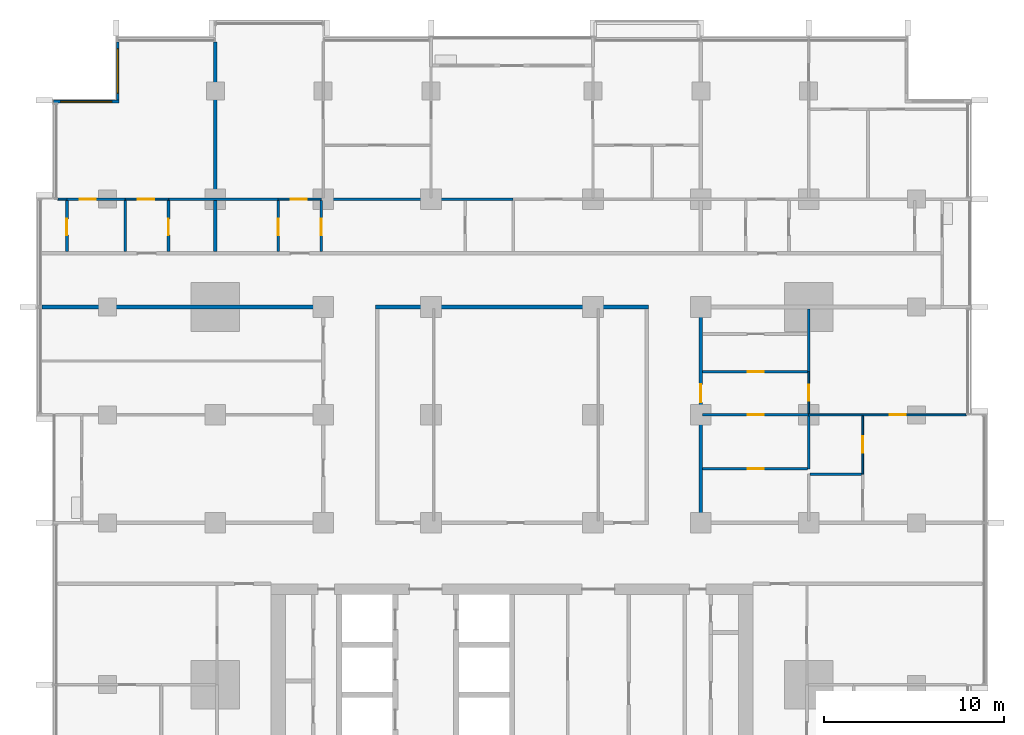
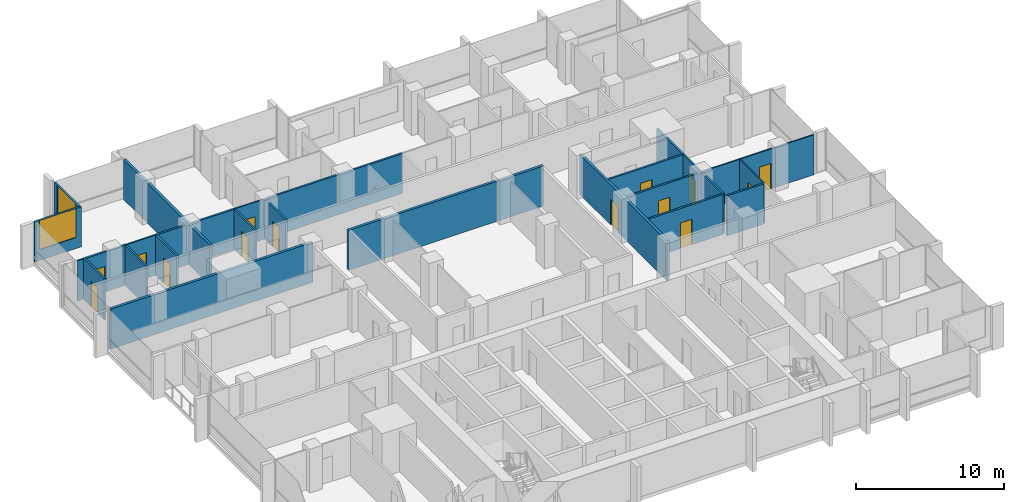
# One storey, part 10 of 17: 27 walls, 14 doors, 2 windows, 16 openings.
"""IFC4 building model written with IfcOpenShell, lengths in metres."""

import ifcopenshell
import ifcopenshell.guid

model = None  # the IFC model being written
_history = None  # IfcOwnerHistory: only IFC2X3 demands one
_inside = {}  # id of a spatial element -> (the spatial element, [elements in it])
_under = {}  # id of a project, library or spatial element -> (it, [spatial elements below it])
_declared = {}  # id of a project -> (the project, [libraries it declares])
_typed = {}  # id of a type object -> (the type object, [elements of that type])
_made_of = {}  # id of a material, layer set ... -> (it, [elements and type objects made of it])


def new_model(schema):
    """Start an empty IFC model of exactly this schema.

    Asked for "IFC4X3", IfcOpenShell would pick the latest addendum, in which some entities
    have other attributes; the version numbers below select the first issue.
    IFC2X3 requires an IfcOwnerHistory on every rooted entity: one is made here for all.
    """
    global model, _history
    if schema == "IFC4X3":
        model = ifcopenshell.file(schema_version=(4, 3, 0, 0))
    else:
        model = ifcopenshell.file(schema=schema)
    _inside.clear()
    _under.clear()
    _declared.clear()
    _typed.clear()
    _made_of.clear()
    _history = None
    if model.schema == "IFC2X3":
        org = make("IfcOrganization", Name="unknown")
        user = make(
            "IfcPersonAndOrganization",
            ThePerson=make("IfcPerson", FamilyName="unknown"),
            TheOrganization=org,
        )
        app = make(
            "IfcApplication",
            ApplicationDeveloper=org,
            Version="unknown",
            ApplicationFullName="unknown",
            ApplicationIdentifier="unknown",
        )
        _history = make(
            "IfcOwnerHistory",
            OwningUser=user,
            OwningApplication=app,
            ChangeAction="ADDED",
            CreationDate=0,
        )
    return model


def make(cls, **values):
    """One entity of the class cls with the attributes given. An attribute that is None is left unset."""
    return model.create_entity(
        cls, **{name: value for name, value in values.items() if value is not None}
    )


def rooted(cls, **values):
    """An entity with a GlobalId (a new one), such as an element, a storey or a relation."""
    return make(cls, GlobalId=ifcopenshell.guid.new(), OwnerHistory=_history, **values)


def si_unit(unit_type, name, prefix=None):
    """IfcSIUnit, for example si_unit("LENGTHUNIT", "METRE", prefix="MILLI")."""
    return make("IfcSIUnit", UnitType=unit_type, Prefix=prefix, Name=name)


def assignment(units):
    """IfcUnitAssignment: the units of a project."""
    return None if units is None else make("IfcUnitAssignment", Units=units)


def point(xyz):
    """IfcCartesianPoint."""
    return None if xyz is None else make("IfcCartesianPoint", Coordinates=xyz)


def direction(xyz):
    """IfcDirection."""
    return None if xyz is None else make("IfcDirection", DirectionRatios=xyz)


def frame(location, z_axis=None, x_axis=None):
    """IfcAxis2Placement3D, a coordinate frame: its origin and axes. An axis left out is left unset."""
    return make(
        "IfcAxis2Placement3D",
        Location=point(location),
        Axis=direction(z_axis),
        RefDirection=direction(x_axis),
    )


def frame_2d(location, x_axis=None):
    """IfcAxis2Placement2D, a coordinate frame in the plane: its origin and x axis."""
    return make(
        "IfcAxis2Placement2D", Location=point(location), RefDirection=direction(x_axis)
    )


def origin():
    """The frame at (0, 0, 0) with its axes left unset."""
    return frame((0.0, 0.0, 0.0))


def place(relative_to, where):
    """IfcLocalPlacement: puts the frame where relative to a parent placement (None: the world)."""
    return make(
        "IfcLocalPlacement", PlacementRelTo=relative_to, RelativePlacement=where
    )


def context(
    kind, dimensions, precision=None, world=None, true_north=None, identifier=None
):
    """IfcGeometricRepresentationContext, for example the 3D "Model" context."""
    return make(
        "IfcGeometricRepresentationContext",
        ContextIdentifier=identifier,
        ContextType=kind,
        CoordinateSpaceDimension=dimensions,
        Precision=precision,
        WorldCoordinateSystem=world,
        TrueNorth=true_north,
    )


def subcontext(parent, identifier, kind, view, scale=None):
    """IfcGeometricRepresentationSubContext, for example "Body" below "Model"."""
    return make(
        "IfcGeometricRepresentationSubContext",
        ContextIdentifier=identifier,
        ContextType=kind,
        ParentContext=parent,
        TargetScale=scale,
        TargetView=view,
    )


def project(units=None, contexts=None):
    """IfcProject with its units and contexts."""
    return rooted(
        "IfcProject",
        Name="project",
        RepresentationContexts=contexts,
        UnitsInContext=assignment(units),
    )


def spatial(cls, under=None, at=None, **own):
    """A site, building, storey or space (cls), placed at a placement, below another one or the project."""
    s = rooted(cls, ObjectPlacement=at, **own)
    if under is not None:
        _under.setdefault(under.id(), (under, []))[1].append(s)
    return s


def profile(cls, at=None, kind="AREA", **sizes):
    """A parametric profile (cls). Its sizes go by their IFC names, for example OverallWidth=200.0."""
    return make(cls, ProfileType=kind, Position=at, **sizes)


def rectangle(**sizes):
    """IfcRectangleProfileDef."""
    return profile("IfcRectangleProfileDef", **sizes)


def extrude(swept, where, along, depth):
    """IfcExtrudedAreaSolid: the profile swept, set in the frame where, extruded along a direction by depth."""
    return make(
        "IfcExtrudedAreaSolid",
        SweptArea=swept,
        Position=where,
        ExtrudedDirection=direction(along),
        Depth=depth,
    )


def shape(context_of_items, identifier, shape_type, items):
    """IfcShapeRepresentation: the items that make up one representation, for example the "Body"."""
    return make(
        "IfcShapeRepresentation",
        ContextOfItems=context_of_items,
        RepresentationIdentifier=identifier,
        RepresentationType=shape_type,
        Items=items,
    )


def material(Name=None, Category=None):
    """IfcMaterial."""
    return make("IfcMaterial", Name=Name, Category=Category)


def layer(
    of_material, thickness, ventilated=None, Name=None, Category=None, Priority=None
):
    """IfcMaterialLayer: one layer of a wall or slab, of a material (None: an air gap)."""
    return make(
        "IfcMaterialLayer",
        Material=of_material,
        LayerThickness=thickness,
        IsVentilated=ventilated,
        Name=Name,
        Category=Category,
        Priority=Priority,
    )


def layer_set(layers, Name=None):
    """IfcMaterialLayerSet."""
    return make("IfcMaterialLayerSet", MaterialLayers=layers, LayerSetName=Name)


def made_of(thing, what):
    """Note that an element or type object is made of a material, layer set ...; save() writes the relation."""
    if what is not None:
        _made_of.setdefault(what.id(), (what, []))[1].append(thing)
    return thing


def type_object(cls, material=None, **own):
    """A type object (cls), such as IfcWallType, which elements share."""
    return made_of(rooted(cls, **own), material)


def element(
    cls,
    number,
    at=None,
    inside=None,
    cuts=None,
    type_object=None,
    material=None,
    context=None,
    identifier="Body",
    shape_type=None,
    held_by="IfcProductDefinitionShape",
    body=None,
    shapes=None,
    **own,
):
    """One element of the class cls, such as IfcWall. Its Tag is "e" and its number.

    at: its placement. inside: the storey or other place that contains it. cuts: it is an
    opening in that element (IfcRelVoidsElement). A single representation is given by context,
    identifier, shape_type and body (its items); several are given by shapes. held_by: the class
    of the entity that holds the representations. save() writes the other relations.
    """
    e = rooted(cls, Tag="e%d" % number, ObjectPlacement=at, **own)
    if body is not None:
        shapes = [shape(context, identifier, shape_type, body)]
    if shapes is not None:
        e.Representation = make(held_by, Representations=shapes)
    if inside is not None:
        _inside.setdefault(inside.id(), (inside, []))[1].append(e)
    if cuts is not None:
        rooted(
            "IfcRelVoidsElement", RelatingBuildingElement=cuts, RelatedOpeningElement=e
        )
    if type_object is not None:
        _typed.setdefault(type_object.id(), (type_object, []))[1].append(e)
    return made_of(e, material)


def fill(opening, filler):
    """IfcRelFillsElement: the door or window that sits in an opening."""
    return rooted(
        "IfcRelFillsElement",
        RelatingOpeningElement=opening,
        RelatedBuildingElement=filler,
    )


def aggregate(whole, parts):
    """IfcRelAggregates: a whole, such as a stair, and the parts it consists of."""
    return rooted("IfcRelAggregates", RelatingObject=whole, RelatedObjects=parts)


def save(model, path):
    """Write the relations noted so far, then the file.

    IfcRelAggregates (storeys below a building ...), IfcRelContainedInSpatialStructure (elements
    in a storey), IfcRelDefinesByType, IfcRelAssociatesMaterial and IfcRelDeclares: one each for
    every whole, place, type object, material and project.
    """
    for whole, parts in _under.values():
        aggregate(whole, parts)
    for where, things in _inside.values():
        rooted(
            "IfcRelContainedInSpatialStructure",
            RelatedElements=things,
            RelatingStructure=where,
        )
    for kind, things in _typed.values():
        rooted("IfcRelDefinesByType", RelatedObjects=things, RelatingType=kind)
    for what, things in _made_of.values():
        rooted("IfcRelAssociatesMaterial", RelatedObjects=things, RelatingMaterial=what)
    for by, libraries in _declared.values():
        rooted("IfcRelDeclares", RelatingContext=by, RelatedDefinitions=libraries)
    model.write(path)


model = new_model("IFC4")

# Units and contexts
model_context = context("Model", 3, precision=1e-05, world=origin(), true_north=direction((0.0, 1.0)))
body_context = subcontext(model_context, "Body", "Model", "MODEL_VIEW")
ifc_project = project(units=[si_unit("LENGTHUNIT", "METRE"), si_unit("AREAUNIT", "SQUARE_METRE"), si_unit("VOLUMEUNIT", "CUBIC_METRE"), si_unit("PLANEANGLEUNIT", "RADIAN"), si_unit("MASSUNIT", "GRAM", prefix="KILO")], contexts=[model_context])

# Site, building, storey
site_placement = place(None, origin())
site = spatial("IfcSite", under=ifc_project, at=site_placement, CompositionType="ELEMENT")
building_placement = place(site_placement, origin())
building = spatial("IfcBuilding", under=site, at=building_placement, Name="Finial Court Residences", CompositionType="ELEMENT")
storey_placement = place(building_placement, frame((0.0, 0.0, 91.89990234375)))
storey = spatial("IfcBuildingStorey", under=building, at=storey_placement, Name="L22", CompositionType="ELEMENT", Elevation=91.89990234375)

# Walls
ifc_material_1 = material(Name="Gypsum board")
ifc_layer_1 = layer(ifc_material_1, 0.02490234375)
ifc_material_2 = material(Name="Acoustic mineral wool in double frame")
ifc_layer_2 = layer(ifc_material_2, 0.14990234375)
ifc_layer_3 = layer(ifc_material_1, 0.02490234375)
ifc_layer_set_1 = layer_set([ifc_layer_1, ifc_layer_2, ifc_layer_3], Name="Acoustic party wall 200, 1 hour")
wall_type_1 = type_object("IfcWallType", Name="Acoustic party wall 200, 1 hour", PredefinedType="PARTITIONING", material=ifc_layer_set_1)
wall_1_placement = place(storey_placement, frame((-16.5, 10.60009765625, 0.0), z_axis=(0.0, 0.0, 1.0), x_axis=(0.0, 1.0, 0.0)))
element("IfcWall", 1, at=wall_1_placement, inside=storey, type_object=wall_type_1, Name="Partition L22-044", PredefinedType="PARTITIONING", context=body_context, shape_type="SweptSolid", body=[
    extrude(rectangle(XDim=2.824951171875, YDim=0.199951171875, at=frame_2d((1.41259765625, 0.0))), origin(), (0.0, 0.0, 1.0), 3.300048828125),
])
wall_2_placement = place(storey_placement, frame((-16.5, 13.574951171875, 0.0), z_axis=(0.0, 0.0, 1.0), x_axis=(0.0, 1.0, 0.0)))
element("IfcWall", 2, at=wall_2_placement, inside=storey, type_object=wall_type_1, Name="Partition L22-045", PredefinedType="PARTITIONING", context=body_context, shape_type="SweptSolid", body=[
    extrude(rectangle(XDim=8.675048828125, YDim=0.199951171875, at=frame_2d((4.33740234375, 0.0))), origin(), (0.0, 0.0, 1.0), 3.300048828125),
])
ifc_layer_4 = layer(ifc_material_1, 0.02490234375)
ifc_layer_5 = layer(ifc_material_2, 0.14990234375)
ifc_layer_6 = layer(ifc_material_1, 0.02490234375)
ifc_layer_set_2 = layer_set([ifc_layer_4, ifc_layer_5, ifc_layer_6], Name="Corridor wall 200, 1 hour")
wall_type_2 = type_object("IfcWallType", Name="Corridor wall 200, 1 hour", PredefinedType="PARTITIONING", material=ifc_layer_set_2)
wall_3_placement = place(storey_placement, frame((-26.14990234375, 7.5, 0.0), z_axis=(0.0, 0.0, 1.0), x_axis=(1.0, 0.0, 0.0)))
element("IfcWall", 3, at=wall_3_placement, inside=storey, type_object=wall_type_2, Name="Partition L22-021", PredefinedType="PARTITIONING", context=body_context, shape_type="SweptSolid", body=[
    extrude(rectangle(XDim=15.75, YDim=0.199951171875, at=frame_2d((7.875, 0.0))), origin(), (0.0, 0.0, 1.0), 3.300048828125),
])
wall_4_placement = place(storey_placement, frame((-7.60009765625, 7.5, 0.0), z_axis=(0.0, 0.0, 1.0), x_axis=(1.0, 0.0, 0.0)))
element("IfcWall", 4, at=wall_4_placement, inside=storey, type_object=wall_type_2, Name="Partition L22-022", PredefinedType="PARTITIONING", context=body_context, shape_type="SweptSolid", body=[
    extrude(rectangle(XDim=15.2001953125, YDim=0.199951171875, at=frame_2d((7.60009765625, 0.0))), origin(), (0.0, 0.0, 1.0), 3.300048828125),
])

# Wall, opening, door
wall_5_placement = place(storey_placement, frame((10.5, -4.39990234375, 0.0), z_axis=(0.0, 0.0, 1.0), x_axis=(0.0, 1.0, 0.0)))
wall_5 = element("IfcWall", 5, at=wall_5_placement, inside=storey, type_object=wall_type_2, Name="Partition L22-061", PredefinedType="PARTITIONING", context=body_context, shape_type="SweptSolid", body=[
    extrude(rectangle(XDim=11.7998046875, YDim=0.199951171875, at=frame_2d((5.89990234375, 0.0))), origin(), (0.0, 0.0, 1.0), 3.300048828125),
])
opening_1_placement = place(wall_5_placement, frame((6.60009765625, 0.0, 0.0)))
opening_1 = element("IfcOpeningElement", 6, at=opening_1_placement, cuts=wall_5, Name="Opening L22-D041", PredefinedType="OPENING", context=body_context, shape_type="SweptSolid", body=[
    extrude(rectangle(XDim=1.0, YDim=2.10009765625, at=frame_2d((0.5, 1.050048828125))), frame((0.0, 0.10986328125, 0.0), z_axis=(0.0, -1.0, 0.0), x_axis=(1.0, 0.0, 0.0)), (0.0, 0.0, 1.0), 0.219970703125),
])
ifc_material_3 = material(Name="Timber door leaf in hollow metal frame", Category="wood")
door_type_1 = type_object("IfcDoorType", Name="Fire door set 1000 x 2100, 30 minutes", OperationType="SINGLE_SWING_LEFT", PredefinedType="DOOR", material=ifc_material_3)
door_1_placement = place(opening_1_placement, origin())
door_1 = element("IfcDoor", 7, at=door_1_placement, inside=storey, type_object=door_type_1, Name="Door L22-D041", OperationType="SINGLE_SWING_RIGHT", OverallHeight=2.10009765625, OverallWidth=1.0, PredefinedType="DOOR", context=body_context, shape_type="SweptSolid", body=[
    extrude(rectangle(XDim=1.0, YDim=2.10009765625, at=frame_2d((0.5, 1.050048828125))), frame((0.0, 0.02490234375, 0.0), z_axis=(0.0, -1.0, 0.0), x_axis=(1.0, 0.0, 0.0)), (0.0, 0.0, 1.0), 0.050048828125),
])
fill(opening_1, door_1)

ifc_layer_7 = layer(ifc_material_1, 0.012451171875)
ifc_material_4 = material(Name="Mineral wool in light-gauge frame")
ifc_layer_8 = layer(ifc_material_4, 0.074951171875)
ifc_layer_9 = layer(ifc_material_1, 0.012451171875)
ifc_layer_set_3 = layer_set([ifc_layer_7, ifc_layer_8, ifc_layer_9], Name="Gypsum board partition 100")
wall_type_3 = type_object("IfcWallType", Name="Gypsum board partition 100", PredefinedType="PARTITIONING", material=ifc_layer_set_3)
wall_6_placement = place(storey_placement, frame((16.5, 1.5, 0.0), z_axis=(0.0, 0.0, 1.0), x_axis=(1.0, 0.0, 0.0)))
wall_6 = element("IfcWall", 8, at=wall_6_placement, inside=storey, type_object=wall_type_3, Name="Partition L22-016", PredefinedType="PARTITIONING", context=body_context, shape_type="SweptSolid", body=[
    extrude(rectangle(XDim=8.75, YDim=0.10009765625, at=frame_2d((4.375, 0.0))), origin(), (0.0, 0.0, 1.0), 3.300048828125),
])
opening_2_placement = place(wall_6_placement, frame((4.5, 0.0, 0.0)))
opening_2 = element("IfcOpeningElement", 9, at=opening_2_placement, cuts=wall_6, Name="Opening L22-D011", PredefinedType="OPENING", context=body_context, shape_type="SweptSolid", body=[
    extrude(rectangle(XDim=0.89990234375, YDim=2.10009765625, at=frame_2d((0.449951171875, 1.050048828125))), frame((0.0, 0.06005859375, 0.0), z_axis=(0.0, -1.0, 0.0), x_axis=(1.0, 0.0, 0.0)), (0.0, 0.0, 1.0), 0.1201171875),
])
ifc_material_5 = material(Name="Timber door leaf in timber frame", Category="wood")
door_type_2 = type_object("IfcDoorType", Name="Door set 900 x 2100", OperationType="SINGLE_SWING_LEFT", PredefinedType="DOOR", material=ifc_material_5)
door_2_placement = place(opening_2_placement, origin())
door_2 = element("IfcDoor", 10, at=door_2_placement, inside=storey, type_object=door_type_2, Name="Door L22-D011", OperationType="SINGLE_SWING_RIGHT", OverallHeight=2.10009765625, OverallWidth=0.89990234375, PredefinedType="DOOR", context=body_context, shape_type="SweptSolid", body=[
    extrude(rectangle(XDim=0.89990234375, YDim=2.10009765625, at=frame_2d((0.449951171875, 1.050048828125))), frame((0.0, 0.02490234375, 0.0), z_axis=(0.0, -1.0, 0.0), x_axis=(1.0, 0.0, 0.0)), (0.0, 0.0, 1.0), 0.050048828125),
])
fill(opening_2, door_2)

# Wall
wall_7_placement = place(storey_placement, frame((-25.25, 13.5, 0.0), z_axis=(0.0, 0.0, 1.0), x_axis=(1.0, 0.0, 0.0)))
element("IfcWall", 11, at=wall_7_placement, inside=storey, type_object=wall_type_3, Name="Partition L22-025", PredefinedType="PARTITIONING", context=body_context, shape_type="SweptSolid", body=[
    extrude(rectangle(XDim=0.5, YDim=0.10009765625, at=frame_2d((0.25, 0.0))), origin(), (0.0, 0.0, 1.0), 3.300048828125),
])

# Wall, opening, door
wall_8_placement = place(storey_placement, frame((-21.5, 13.5, 0.0), z_axis=(0.0, 0.0, 1.0), x_axis=(1.0, 0.0, 0.0)))
wall_8 = element("IfcWall", 12, at=wall_8_placement, inside=storey, type_object=wall_type_3, Name="Partition L22-026", PredefinedType="PARTITIONING", context=body_context, shape_type="SweptSolid", body=[
    extrude(rectangle(XDim=2.39990234375, YDim=0.10009765625, at=frame_2d((1.199951171875, 0.0))), origin(), (0.0, 0.0, 1.0), 3.300048828125),
])
opening_3_placement = place(wall_8_placement, frame((0.699951171875, 0.0, 0.0)))
opening_3 = element("IfcOpeningElement", 13, at=opening_3_placement, cuts=wall_8, Name="Opening L22-D018", PredefinedType="OPENING", context=body_context, shape_type="SweptSolid", body=[
    extrude(rectangle(XDim=0.89990234375, YDim=2.10009765625, at=frame_2d((0.449951171875, 1.050048828125))), frame((0.0, 0.06005859375, 0.0), z_axis=(0.0, -1.0, 0.0), x_axis=(1.0, 0.0, 0.0)), (0.0, 0.0, 1.0), 0.1201171875),
])
door_3_placement = place(opening_3_placement, origin())
door_3 = element("IfcDoor", 14, at=door_3_placement, inside=storey, type_object=door_type_2, Name="Door L22-D018", OperationType="SINGLE_SWING_LEFT", OverallHeight=2.10009765625, OverallWidth=0.89990234375, PredefinedType="DOOR", context=body_context, shape_type="SweptSolid", body=[
    extrude(rectangle(XDim=0.89990234375, YDim=2.10009765625, at=frame_2d((0.449951171875, 1.050048828125))), frame((0.0, 0.02490234375, 0.0), z_axis=(0.0, -1.0, 0.0), x_axis=(1.0, 0.0, 0.0)), (0.0, 0.0, 1.0), 0.050048828125),
])
fill(opening_3, door_3)

wall_9_placement = place(storey_placement, frame((-13.0, 13.5, 0.0), z_axis=(0.0, 0.0, 1.0), x_axis=(1.0, 0.0, 0.0)))
wall_9 = element("IfcWall", 15, at=wall_9_placement, inside=storey, type_object=wall_type_3, Name="Partition L22-027", PredefinedType="PARTITIONING", context=body_context, shape_type="SweptSolid", body=[
    extrude(rectangle(XDim=2.39990234375, YDim=0.10009765625, at=frame_2d((1.199951171875, 0.0))), origin(), (0.0, 0.0, 1.0), 3.300048828125),
])
opening_4_placement = place(wall_9_placement, frame((0.699951171875, 0.0, 0.0)))
opening_4 = element("IfcOpeningElement", 16, at=opening_4_placement, cuts=wall_9, Name="Opening L22-D019", PredefinedType="OPENING", context=body_context, shape_type="SweptSolid", body=[
    extrude(rectangle(XDim=0.89990234375, YDim=2.10009765625, at=frame_2d((0.449951171875, 1.050048828125))), frame((0.0, 0.06005859375, 0.0), z_axis=(0.0, -1.0, 0.0), x_axis=(1.0, 0.0, 0.0)), (0.0, 0.0, 1.0), 0.1201171875),
])
door_4_placement = place(opening_4_placement, origin())
door_4 = element("IfcDoor", 17, at=door_4_placement, inside=storey, type_object=door_type_2, Name="Door L22-D019", OperationType="SINGLE_SWING_RIGHT", OverallHeight=2.10009765625, OverallWidth=0.89990234375, PredefinedType="DOOR", context=body_context, shape_type="SweptSolid", body=[
    extrude(rectangle(XDim=0.89990234375, YDim=2.10009765625, at=frame_2d((0.449951171875, 1.050048828125))), frame((0.0, 0.02490234375, 0.0), z_axis=(0.0, -1.0, 0.0), x_axis=(1.0, 0.0, 0.0)), (0.0, 0.0, 1.0), 0.050048828125),
])
fill(opening_4, door_4)

wall_10_placement = place(storey_placement, frame((16.5, 1.574951171875, 0.0), z_axis=(0.0, 0.0, 1.0), x_axis=(0.0, 1.0, 0.0)))
wall_10 = element("IfcWall", 18, at=wall_10_placement, inside=storey, type_object=wall_type_3, Name="Partition L22-070", PredefinedType="PARTITIONING", context=body_context, shape_type="SweptSolid", body=[
    extrude(rectangle(XDim=2.324951171875, YDim=0.10009765625, at=frame_2d((1.16259765625, 0.0))), origin(), (0.0, 0.0, 1.0), 3.300048828125),
])
opening_5_placement = place(wall_10_placement, frame((0.699951171875, 0.0, 0.0)))
opening_5 = element("IfcOpeningElement", 19, at=opening_5_placement, cuts=wall_10, Name="Opening L22-D047", PredefinedType="OPENING", context=body_context, shape_type="SweptSolid", body=[
    extrude(rectangle(XDim=0.89990234375, YDim=2.10009765625, at=frame_2d((0.449951171875, 1.050048828125))), frame((0.0, 0.06005859375, 0.0), z_axis=(0.0, -1.0, 0.0), x_axis=(1.0, 0.0, 0.0)), (0.0, 0.0, 1.0), 0.1201171875),
])
door_5_placement = place(opening_5_placement, origin())
door_5 = element("IfcDoor", 20, at=door_5_placement, inside=storey, type_object=door_type_2, Name="Door L22-D047", OperationType="SINGLE_SWING_LEFT", OverallHeight=2.10009765625, OverallWidth=0.89990234375, PredefinedType="DOOR", context=body_context, shape_type="SweptSolid", body=[
    extrude(rectangle(XDim=0.89990234375, YDim=2.10009765625, at=frame_2d((0.449951171875, 1.050048828125))), frame((0.0, 0.02490234375, 0.0), z_axis=(0.0, -1.0, 0.0), x_axis=(1.0, 0.0, 0.0)), (0.0, 0.0, 1.0), 0.050048828125),
])
fill(opening_5, door_5)

wall_11_placement = place(storey_placement, frame((19.5, -1.800048828125, 0.0), z_axis=(0.0, 0.0, 1.0), x_axis=(0.0, 1.0, 0.0)))
wall_11 = element("IfcWall", 21, at=wall_11_placement, inside=storey, type_object=wall_type_3, Name="Partition L22-077", PredefinedType="PARTITIONING", context=body_context, shape_type="SweptSolid", body=[
    extrude(rectangle(XDim=3.25, YDim=0.10009765625, at=frame_2d((1.625, 0.0))), origin(), (0.0, 0.0, 1.0), 3.300048828125),
])
opening_6_placement = place(wall_11_placement, frame((1.199951171875, 0.0, 0.0)))
opening_6 = element("IfcOpeningElement", 22, at=opening_6_placement, cuts=wall_11, Name="Opening L22-D049", PredefinedType="OPENING", context=body_context, shape_type="SweptSolid", body=[
    extrude(rectangle(XDim=0.89990234375, YDim=2.10009765625, at=frame_2d((0.449951171875, 1.050048828125))), frame((0.0, 0.06005859375, 0.0), z_axis=(0.0, -1.0, 0.0), x_axis=(1.0, 0.0, 0.0)), (0.0, 0.0, 1.0), 0.1201171875),
])
door_6_placement = place(opening_6_placement, origin())
door_6 = element("IfcDoor", 23, at=door_6_placement, inside=storey, type_object=door_type_2, Name="Door L22-D049", OperationType="SINGLE_SWING_LEFT", OverallHeight=2.10009765625, OverallWidth=0.89990234375, PredefinedType="DOOR", context=body_context, shape_type="SweptSolid", body=[
    extrude(rectangle(XDim=0.89990234375, YDim=2.10009765625, at=frame_2d((0.449951171875, 1.050048828125))), frame((0.0, 0.02490234375, 0.0), z_axis=(0.0, -1.0, 0.0), x_axis=(1.0, 0.0, 0.0)), (0.0, 0.0, 1.0), 0.050048828125),
])
fill(opening_6, door_6)

# Wall
ifc_material_6 = material(Name="Moisture-resistant gypsum board")
ifc_layer_10 = layer(ifc_material_6, 0.012451171875)
ifc_layer_11 = layer(ifc_material_4, 0.125)
ifc_layer_12 = layer(ifc_material_6, 0.012451171875)
ifc_layer_set_4 = layer_set([ifc_layer_10, ifc_layer_11, ifc_layer_12], Name="Gypsum board wet-area partition 150")
wall_type_4 = type_object("IfcWallType", Name="Gypsum board wet-area partition 150", PredefinedType="PARTITIONING", material=ifc_layer_set_4)
wall_12_placement = place(storey_placement, frame((16.574951171875, -1.800048828125, 0.0), z_axis=(0.0, 0.0, 1.0), x_axis=(1.0, 0.0, 0.0)))
element("IfcWall", 24, at=wall_12_placement, inside=storey, type_object=wall_type_4, Name="Partition L22-013", PredefinedType="PARTITIONING", context=body_context, shape_type="SweptSolid", body=[
    extrude(rectangle(XDim=2.85009765625, YDim=0.14990234375, at=frame_2d((1.425048828125, 0.0))), origin(), (0.0, 0.0, 1.0), 3.300048828125),
])

# Wall, opening, door
wall_13_placement = place(storey_placement, frame((10.60009765625, -1.5, 0.0), z_axis=(0.0, 0.0, 1.0), x_axis=(1.0, 0.0, 0.0)))
wall_13 = element("IfcWall", 25, at=wall_13_placement, inside=storey, type_object=wall_type_4, Name="Partition L22-014", PredefinedType="PARTITIONING", context=body_context, shape_type="SweptSolid", body=[
    extrude(rectangle(XDim=5.824951171875, YDim=0.14990234375, at=frame_2d((2.91259765625, 0.0))), origin(), (0.0, 0.0, 1.0), 3.300048828125),
])
opening_7_placement = place(wall_13_placement, frame((2.5, 0.0, 0.0)))
opening_7 = element("IfcOpeningElement", 26, at=opening_7_placement, cuts=wall_13, Name="Opening L22-D010", PredefinedType="OPENING", context=body_context, shape_type="SweptSolid", body=[
    extrude(rectangle(XDim=0.89990234375, YDim=2.10009765625, at=frame_2d((0.449951171875, 1.050048828125))), frame((0.0, 0.0849609375, 0.0), z_axis=(0.0, -1.0, 0.0), x_axis=(1.0, 0.0, 0.0)), (0.0, 0.0, 1.0), 0.169921875),
])
door_7_placement = place(opening_7_placement, origin())
door_7 = element("IfcDoor", 27, at=door_7_placement, inside=storey, type_object=door_type_2, Name="Door L22-D010", OperationType="SINGLE_SWING_LEFT", OverallHeight=2.10009765625, OverallWidth=0.89990234375, PredefinedType="DOOR", context=body_context, shape_type="SweptSolid", body=[
    extrude(rectangle(XDim=0.89990234375, YDim=2.10009765625, at=frame_2d((0.449951171875, 1.050048828125))), frame((0.0, 0.02490234375, 0.0), z_axis=(0.0, -1.0, 0.0), x_axis=(1.0, 0.0, 0.0)), (0.0, 0.0, 1.0), 0.050048828125),
])
fill(opening_7, door_7)

wall_14_placement = place(storey_placement, frame((10.60009765625, 1.5, 0.0), z_axis=(0.0, 0.0, 1.0), x_axis=(1.0, 0.0, 0.0)))
wall_14 = element("IfcWall", 28, at=wall_14_placement, inside=storey, type_object=wall_type_4, Name="Partition L22-017", PredefinedType="PARTITIONING", context=body_context, shape_type="SweptSolid", body=[
    extrude(rectangle(XDim=5.89990234375, YDim=0.14990234375, at=frame_2d((2.949951171875, 0.0))), origin(), (0.0, 0.0, 1.0), 3.300048828125),
])
opening_8_placement = place(wall_14_placement, frame((2.5, 0.0, 0.0)))
opening_8 = element("IfcOpeningElement", 29, at=opening_8_placement, cuts=wall_14, Name="Opening L22-D012", PredefinedType="OPENING", context=body_context, shape_type="SweptSolid", body=[
    extrude(rectangle(XDim=0.89990234375, YDim=2.10009765625, at=frame_2d((0.449951171875, 1.050048828125))), frame((0.0, 0.0849609375, 0.0), z_axis=(0.0, -1.0, 0.0), x_axis=(1.0, 0.0, 0.0)), (0.0, 0.0, 1.0), 0.169921875),
])
door_8_placement = place(opening_8_placement, origin())
door_8 = element("IfcDoor", 30, at=door_8_placement, inside=storey, type_object=door_type_2, Name="Door L22-D012", OperationType="SINGLE_SWING_LEFT", OverallHeight=2.10009765625, OverallWidth=0.89990234375, PredefinedType="DOOR", context=body_context, shape_type="SweptSolid", body=[
    extrude(rectangle(XDim=0.89990234375, YDim=2.10009765625, at=frame_2d((0.449951171875, 1.050048828125))), frame((0.0, 0.02490234375, 0.0), z_axis=(0.0, -1.0, 0.0), x_axis=(1.0, 0.0, 0.0)), (0.0, 0.0, 1.0), 0.050048828125),
])
fill(opening_8, door_8)

wall_15_placement = place(storey_placement, frame((10.60009765625, 3.89990234375, 0.0), z_axis=(0.0, 0.0, 1.0), x_axis=(1.0, 0.0, 0.0)))
wall_15 = element("IfcWall", 31, at=wall_15_placement, inside=storey, type_object=wall_type_4, Name="Partition L22-018", PredefinedType="PARTITIONING", context=body_context, shape_type="SweptSolid", body=[
    extrude(rectangle(XDim=5.824951171875, YDim=0.14990234375, at=frame_2d((2.91259765625, 0.0))), origin(), (0.0, 0.0, 1.0), 3.300048828125),
])
opening_9_placement = place(wall_15_placement, frame((2.5, 0.0, 0.0)))
opening_9 = element("IfcOpeningElement", 32, at=opening_9_placement, cuts=wall_15, Name="Opening L22-D013", PredefinedType="OPENING", context=body_context, shape_type="SweptSolid", body=[
    extrude(rectangle(XDim=0.89990234375, YDim=2.10009765625, at=frame_2d((0.449951171875, 1.050048828125))), frame((0.0, 0.0849609375, 0.0), z_axis=(0.0, -1.0, 0.0), x_axis=(1.0, 0.0, 0.0)), (0.0, 0.0, 1.0), 0.169921875),
])
door_9_placement = place(opening_9_placement, origin())
door_9 = element("IfcDoor", 33, at=door_9_placement, inside=storey, type_object=door_type_2, Name="Door L22-D013", OperationType="SINGLE_SWING_RIGHT", OverallHeight=2.10009765625, OverallWidth=0.89990234375, PredefinedType="DOOR", context=body_context, shape_type="SweptSolid", body=[
    extrude(rectangle(XDim=0.89990234375, YDim=2.10009765625, at=frame_2d((0.449951171875, 1.050048828125))), frame((0.0, 0.02490234375, 0.0), z_axis=(0.0, -1.0, 0.0), x_axis=(1.0, 0.0, 0.0)), (0.0, 0.0, 1.0), 0.050048828125),
])
fill(opening_9, door_9)

wall_16_placement = place(storey_placement, frame((-24.75, 13.5, 0.0), z_axis=(0.0, 0.0, 1.0), x_axis=(1.0, 0.0, 0.0)))
wall_16 = element("IfcWall", 34, at=wall_16_placement, inside=storey, type_object=wall_type_4, Name="Partition L22-030", PredefinedType="PARTITIONING", context=body_context, shape_type="SweptSolid", body=[
    extrude(rectangle(XDim=3.25, YDim=0.14990234375, at=frame_2d((1.625, 0.0))), origin(), (0.0, 0.0, 1.0), 3.300048828125),
])
opening_10_placement = place(wall_16_placement, frame((0.699951171875, 0.0, 0.0)))
opening_10 = element("IfcOpeningElement", 35, at=opening_10_placement, cuts=wall_16, Name="Opening L22-D022", PredefinedType="OPENING", context=body_context, shape_type="SweptSolid", body=[
    extrude(rectangle(XDim=0.89990234375, YDim=2.10009765625, at=frame_2d((0.449951171875, 1.050048828125))), frame((0.0, 0.0849609375, 0.0), z_axis=(0.0, -1.0, 0.0), x_axis=(1.0, 0.0, 0.0)), (0.0, 0.0, 1.0), 0.169921875),
])
door_10_placement = place(opening_10_placement, origin())
door_10 = element("IfcDoor", 36, at=door_10_placement, inside=storey, type_object=door_type_2, Name="Door L22-D022", OperationType="SINGLE_SWING_LEFT", OverallHeight=2.10009765625, OverallWidth=0.89990234375, PredefinedType="DOOR", context=body_context, shape_type="SweptSolid", body=[
    extrude(rectangle(XDim=0.89990234375, YDim=2.10009765625, at=frame_2d((0.449951171875, 1.050048828125))), frame((0.0, 0.02490234375, 0.0), z_axis=(0.0, -1.0, 0.0), x_axis=(1.0, 0.0, 0.0)), (0.0, 0.0, 1.0), 0.050048828125),
])
fill(opening_10, door_10)

# Walls
wall_17_placement = place(storey_placement, frame((-19.10009765625, 13.5, 0.0), z_axis=(0.0, 0.0, 1.0), x_axis=(1.0, 0.0, 0.0)))
element("IfcWall", 37, at=wall_17_placement, inside=storey, type_object=wall_type_4, Name="Partition L22-031", PredefinedType="PARTITIONING", context=body_context, shape_type="SweptSolid", body=[
    extrude(rectangle(XDim=6.10009765625, YDim=0.14990234375, at=frame_2d((3.050048828125, 0.0))), origin(), (0.0, 0.0, 1.0), 3.300048828125),
])
wall_18_placement = place(storey_placement, frame((-10.5, 13.5, 0.0), z_axis=(0.0, 0.0, 1.0), x_axis=(1.0, 0.0, 0.0)))
element("IfcWall", 38, at=wall_18_placement, inside=storey, type_object=wall_type_4, Name="Partition L22-032", PredefinedType="PARTITIONING", context=body_context, shape_type="SweptSolid", body=[
    extrude(rectangle(XDim=10.56689453125, YDim=0.14990234375, at=frame_2d((5.283447265625, 0.0))), origin(), (0.0, 0.0, 1.0), 3.300048828125),
])

# Wall, opening, door
wall_19_placement = place(storey_placement, frame((-24.75, 10.60009765625, 0.0), z_axis=(0.0, 0.0, 1.0), x_axis=(0.0, 1.0, 0.0)))
wall_19 = element("IfcWall", 39, at=wall_19_placement, inside=storey, type_object=wall_type_4, Name="Partition L22-040", PredefinedType="PARTITIONING", context=body_context, shape_type="SweptSolid", body=[
    extrude(rectangle(XDim=2.824951171875, YDim=0.14990234375, at=frame_2d((1.41259765625, 0.0))), origin(), (0.0, 0.0, 1.0), 3.400146484375),
])
opening_11_placement = place(wall_19_placement, frame((0.89990234375, 0.0, 0.0)))
opening_11 = element("IfcOpeningElement", 40, at=opening_11_placement, cuts=wall_19, Name="Opening L22-D028", PredefinedType="OPENING", context=body_context, shape_type="SweptSolid", body=[
    extrude(rectangle(XDim=0.89990234375, YDim=2.10009765625, at=frame_2d((0.449951171875, 1.050048828125))), frame((0.0, 0.0849609375, 0.0), z_axis=(0.0, -1.0, 0.0), x_axis=(1.0, 0.0, 0.0)), (0.0, 0.0, 1.0), 0.169921875),
])
door_11_placement = place(opening_11_placement, origin())
door_11 = element("IfcDoor", 41, at=door_11_placement, inside=storey, type_object=door_type_2, Name="Door L22-D028", OperationType="SINGLE_SWING_RIGHT", OverallHeight=2.10009765625, OverallWidth=0.89990234375, PredefinedType="DOOR", context=body_context, shape_type="SweptSolid", body=[
    extrude(rectangle(XDim=0.89990234375, YDim=2.10009765625, at=frame_2d((0.449951171875, 1.050048828125))), frame((0.0, 0.02490234375, 0.0), z_axis=(0.0, -1.0, 0.0), x_axis=(1.0, 0.0, 0.0)), (0.0, 0.0, 1.0), 0.050048828125),
])
fill(opening_11, door_11)

# Wall
wall_20_placement = place(storey_placement, frame((-21.5, 10.60009765625, 0.0), z_axis=(0.0, 0.0, 1.0), x_axis=(0.0, 1.0, 0.0)))
element("IfcWall", 42, at=wall_20_placement, inside=storey, type_object=wall_type_4, Name="Partition L22-041", PredefinedType="PARTITIONING", context=body_context, shape_type="SweptSolid", body=[
    extrude(rectangle(XDim=2.824951171875, YDim=0.14990234375, at=frame_2d((1.41259765625, 0.0))), origin(), (0.0, 0.0, 1.0), 3.300048828125),
])

# Wall, opening, door
wall_21_placement = place(storey_placement, frame((-19.10009765625, 10.60009765625, 0.0), z_axis=(0.0, 0.0, 1.0), x_axis=(0.0, 1.0, 0.0)))
wall_21 = element("IfcWall", 43, at=wall_21_placement, inside=storey, type_object=wall_type_4, Name="Partition L22-043", PredefinedType="PARTITIONING", context=body_context, shape_type="SweptSolid", body=[
    extrude(rectangle(XDim=2.824951171875, YDim=0.14990234375, at=frame_2d((1.41259765625, 0.0))), origin(), (0.0, 0.0, 1.0), 3.300048828125),
])
opening_12_placement = place(wall_21_placement, frame((0.89990234375, 0.0, 0.0)))
opening_12 = element("IfcOpeningElement", 44, at=opening_12_placement, cuts=wall_21, Name="Opening L22-D030", PredefinedType="OPENING", context=body_context, shape_type="SweptSolid", body=[
    extrude(rectangle(XDim=0.89990234375, YDim=2.10009765625, at=frame_2d((0.449951171875, 1.050048828125))), frame((0.0, 0.0849609375, 0.0), z_axis=(0.0, -1.0, 0.0), x_axis=(1.0, 0.0, 0.0)), (0.0, 0.0, 1.0), 0.169921875),
])
door_12_placement = place(opening_12_placement, origin())
door_12 = element("IfcDoor", 45, at=door_12_placement, inside=storey, type_object=door_type_2, Name="Door L22-D030", OperationType="SINGLE_SWING_LEFT", OverallHeight=2.10009765625, OverallWidth=0.89990234375, PredefinedType="DOOR", context=body_context, shape_type="SweptSolid", body=[
    extrude(rectangle(XDim=0.89990234375, YDim=2.10009765625, at=frame_2d((0.449951171875, 1.050048828125))), frame((0.0, 0.02490234375, 0.0), z_axis=(0.0, -1.0, 0.0), x_axis=(1.0, 0.0, 0.0)), (0.0, 0.0, 1.0), 0.050048828125),
])
fill(opening_12, door_12)

wall_22_placement = place(storey_placement, frame((-13.0, 10.60009765625, 0.0), z_axis=(0.0, 0.0, 1.0), x_axis=(0.0, 1.0, 0.0)))
wall_22 = element("IfcWall", 46, at=wall_22_placement, inside=storey, type_object=wall_type_4, Name="Partition L22-048", PredefinedType="PARTITIONING", context=body_context, shape_type="SweptSolid", body=[
    extrude(rectangle(XDim=2.824951171875, YDim=0.14990234375, at=frame_2d((1.41259765625, 0.0))), origin(), (0.0, 0.0, 1.0), 3.300048828125),
])
opening_13_placement = place(wall_22_placement, frame((0.89990234375, 0.0, 0.0)))
opening_13 = element("IfcOpeningElement", 47, at=opening_13_placement, cuts=wall_22, Name="Opening L22-D032", PredefinedType="OPENING", context=body_context, shape_type="SweptSolid", body=[
    extrude(rectangle(XDim=0.89990234375, YDim=2.10009765625, at=frame_2d((0.449951171875, 1.050048828125))), frame((0.0, 0.0849609375, 0.0), z_axis=(0.0, -1.0, 0.0), x_axis=(1.0, 0.0, 0.0)), (0.0, 0.0, 1.0), 0.169921875),
])
door_13_placement = place(opening_13_placement, origin())
door_13 = element("IfcDoor", 48, at=door_13_placement, inside=storey, type_object=door_type_2, Name="Door L22-D032", OperationType="SINGLE_SWING_RIGHT", OverallHeight=2.10009765625, OverallWidth=0.89990234375, PredefinedType="DOOR", context=body_context, shape_type="SweptSolid", body=[
    extrude(rectangle(XDim=0.89990234375, YDim=2.10009765625, at=frame_2d((0.449951171875, 1.050048828125))), frame((0.0, 0.02490234375, 0.0), z_axis=(0.0, -1.0, 0.0), x_axis=(1.0, 0.0, 0.0)), (0.0, 0.0, 1.0), 0.050048828125),
])
fill(opening_13, door_13)

wall_23_placement = place(storey_placement, frame((-10.60009765625, 10.60009765625, 0.0), z_axis=(0.0, 0.0, 1.0), x_axis=(0.0, 1.0, 0.0)))
wall_23 = element("IfcWall", 49, at=wall_23_placement, inside=storey, type_object=wall_type_4, Name="Partition L22-049", PredefinedType="PARTITIONING", context=body_context, shape_type="SweptSolid", body=[
    extrude(rectangle(XDim=2.824951171875, YDim=0.14990234375, at=frame_2d((1.41259765625, 0.0))), origin(), (0.0, 0.0, 1.0), 3.300048828125),
])
opening_14_placement = place(wall_23_placement, frame((0.89990234375, 0.0, 0.0)))
opening_14 = element("IfcOpeningElement", 50, at=opening_14_placement, cuts=wall_23, Name="Opening L22-D033", PredefinedType="OPENING", context=body_context, shape_type="SweptSolid", body=[
    extrude(rectangle(XDim=0.89990234375, YDim=2.10009765625, at=frame_2d((0.449951171875, 1.050048828125))), frame((0.0, 0.0849609375, 0.0), z_axis=(0.0, -1.0, 0.0), x_axis=(1.0, 0.0, 0.0)), (0.0, 0.0, 1.0), 0.169921875),
])
door_14_placement = place(opening_14_placement, origin())
door_14 = element("IfcDoor", 51, at=door_14_placement, inside=storey, type_object=door_type_2, Name="Door L22-D033", OperationType="SINGLE_SWING_RIGHT", OverallHeight=2.10009765625, OverallWidth=0.89990234375, PredefinedType="DOOR", context=body_context, shape_type="SweptSolid", body=[
    extrude(rectangle(XDim=0.89990234375, YDim=2.10009765625, at=frame_2d((0.449951171875, 1.050048828125))), frame((0.0, 0.02490234375, 0.0), z_axis=(0.0, -1.0, 0.0), x_axis=(1.0, 0.0, 0.0)), (0.0, 0.0, 1.0), 0.050048828125),
])
fill(opening_14, door_14)

# Walls
wall_24_placement = place(storey_placement, frame((16.5, -1.5, 0.0), z_axis=(0.0, 0.0, 1.0), x_axis=(0.0, 1.0, 0.0)))
element("IfcWall", 52, at=wall_24_placement, inside=storey, type_object=wall_type_4, Name="Partition L22-073", PredefinedType="PARTITIONING", context=body_context, shape_type="SweptSolid", body=[
    extrude(rectangle(XDim=2.925048828125, YDim=0.14990234375, at=frame_2d((1.46240234375, 0.0))), origin(), (0.0, 0.0, 1.0), 3.300048828125),
])
wall_25_placement = place(storey_placement, frame((16.5, 3.89990234375, 0.0), z_axis=(0.0, 0.0, 1.0), x_axis=(0.0, 1.0, 0.0)))
element("IfcWall", 53, at=wall_25_placement, inside=storey, type_object=wall_type_4, Name="Partition L22-074", PredefinedType="PARTITIONING", context=body_context, shape_type="SweptSolid", body=[
    extrude(rectangle(XDim=3.5, YDim=0.14990234375, at=frame_2d((1.75, 0.0))), origin(), (0.0, 0.0, 1.0), 3.300048828125),
])

# Wall, opening, window
ifc_material_7 = material(Name="Natural limestone", Category="masonry")
ifc_layer_13 = layer(ifc_material_7, 0.14990234375)
ifc_layer_set_5 = layer_set([ifc_layer_13], Name="Limestone clad wall 150")
wall_type_5 = type_object("IfcWallType", Name="Limestone clad wall 150", PredefinedType="SOLIDWALL", material=ifc_layer_set_5)
wall_26_placement = place(storey_placement, frame((-21.925048828125, 19.0, 0.0), z_axis=(0.0, 0.0, 1.0), x_axis=(0.0, 1.0, 0.0)))
wall_26 = element("IfcWall", 54, at=wall_26_placement, inside=storey, type_object=wall_type_5, Name="E-L22-NWW20", PredefinedType="SOLIDWALL", context=body_context, shape_type="SweptSolid", body=[
    extrude(rectangle(XDim=3.25, YDim=0.14990234375, at=frame_2d((1.625, 0.0))), origin(), (0.0, 0.0, 1.0), 3.300048828125),
])
opening_15_placement = place(wall_26_placement, frame((0.39990234375, 0.0, 0.89990234375)))
opening_15 = element("IfcOpeningElement", 55, at=opening_15_placement, cuts=wall_26, Name="Opening WE22-05", PredefinedType="OPENING", context=body_context, shape_type="SweptSolid", body=[
    extrude(rectangle(XDim=2.449951171875, YDim=2.39990234375, at=frame_2d((1.22509765625, 1.199951171875))), frame((0.0, 0.0849609375, 0.0), z_axis=(0.0, -1.0, 0.0), x_axis=(1.0, 0.0, 0.0)), (0.0, 0.0, 1.0), 0.169921875),
])
ifc_material_8 = material(Name="Clear low-e glass", Category="glass")
window_type_1 = type_object("IfcWindowType", Name="Corner window 2450 x 2400", PartitioningType="SINGLE_PANEL", PredefinedType="WINDOW", material=ifc_material_8)
window_1_placement = place(opening_15_placement, origin())
window_1 = element("IfcWindow", 56, at=window_1_placement, inside=storey, type_object=window_type_1, Name="E-L22-NWW20-W1", OverallHeight=2.39990234375, OverallWidth=2.449951171875, PartitioningType="SINGLE_PANEL", PredefinedType="WINDOW", context=body_context, shape_type="SweptSolid", body=[
    extrude(rectangle(XDim=2.449951171875, YDim=2.39990234375, at=frame_2d((1.22509765625, 1.199951171875))), frame((0.0, 0.030029296875, 0.0), z_axis=(0.0, -1.0, 0.0), x_axis=(1.0, 0.0, 0.0)), (0.0, 0.0, 1.0), 0.06005859375),
])
fill(opening_15, window_1)

wall_27_placement = place(storey_placement, frame((-25.5, 18.925048828125, 0.0), z_axis=(0.0, 0.0, 1.0), x_axis=(1.0, 0.0, 0.0)))
wall_27 = element("IfcWall", 57, at=wall_27_placement, inside=storey, type_object=wall_type_5, Name="E-L22-NWN21", PredefinedType="SOLIDWALL", context=body_context, shape_type="SweptSolid", body=[
    extrude(rectangle(XDim=3.64990234375, YDim=0.14990234375, at=frame_2d((1.824951171875, 0.0))), origin(), (0.0, 0.0, 1.0), 3.300048828125),
])
opening_16_placement = place(wall_27_placement, frame((0.39990234375, 0.0, 0.89990234375)))
opening_16 = element("IfcOpeningElement", 58, at=opening_16_placement, cuts=wall_27, Name="Opening WE22-06", PredefinedType="OPENING", context=body_context, shape_type="SweptSolid", body=[
    extrude(rectangle(XDim=2.85009765625, YDim=2.39990234375, at=frame_2d((1.425048828125, 1.199951171875))), frame((0.0, 0.0849609375, 0.0), z_axis=(0.0, -1.0, 0.0), x_axis=(1.0, 0.0, 0.0)), (0.0, 0.0, 1.0), 0.169921875),
])
window_type_2 = type_object("IfcWindowType", Name="Corner window 2850 x 2400", PartitioningType="SINGLE_PANEL", PredefinedType="WINDOW", material=ifc_material_8)
window_2_placement = place(opening_16_placement, origin())
window_2 = element("IfcWindow", 59, at=window_2_placement, inside=storey, type_object=window_type_2, Name="E-L22-NWN21-W1", OverallHeight=2.39990234375, OverallWidth=2.85009765625, PartitioningType="SINGLE_PANEL", PredefinedType="WINDOW", context=body_context, shape_type="SweptSolid", body=[
    extrude(rectangle(XDim=2.85009765625, YDim=2.39990234375, at=frame_2d((1.425048828125, 1.199951171875))), frame((0.0, 0.030029296875, 0.0), z_axis=(0.0, -1.0, 0.0), x_axis=(1.0, 0.0, 0.0)), (0.0, 0.0, 1.0), 0.06005859375),
])
fill(opening_16, window_2)

save(model, "model.ifc")
